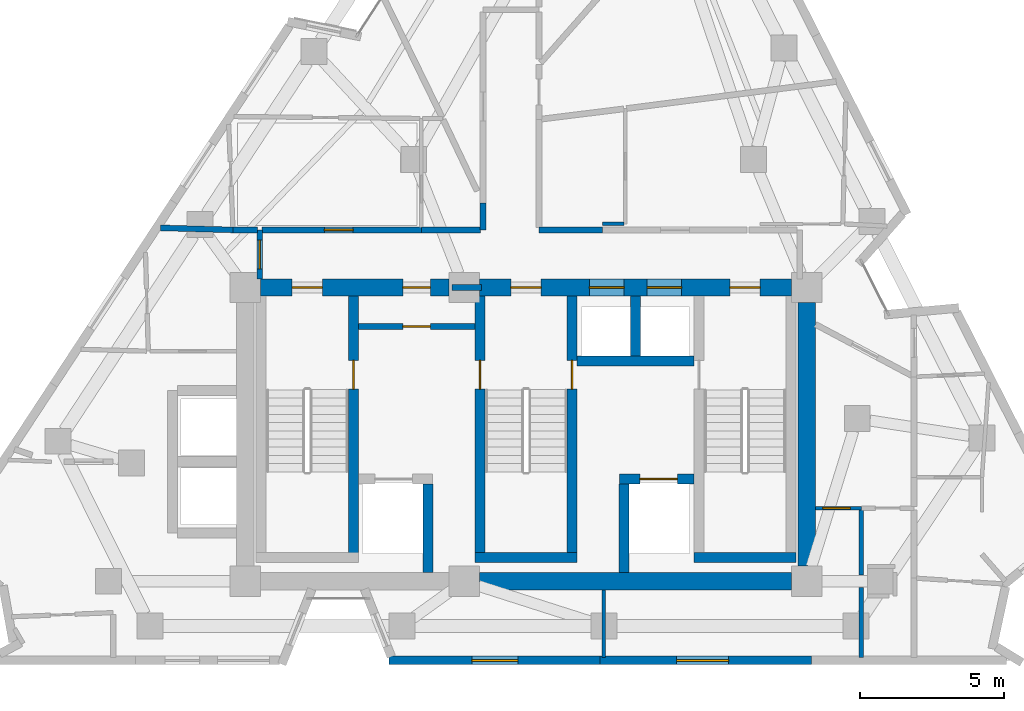
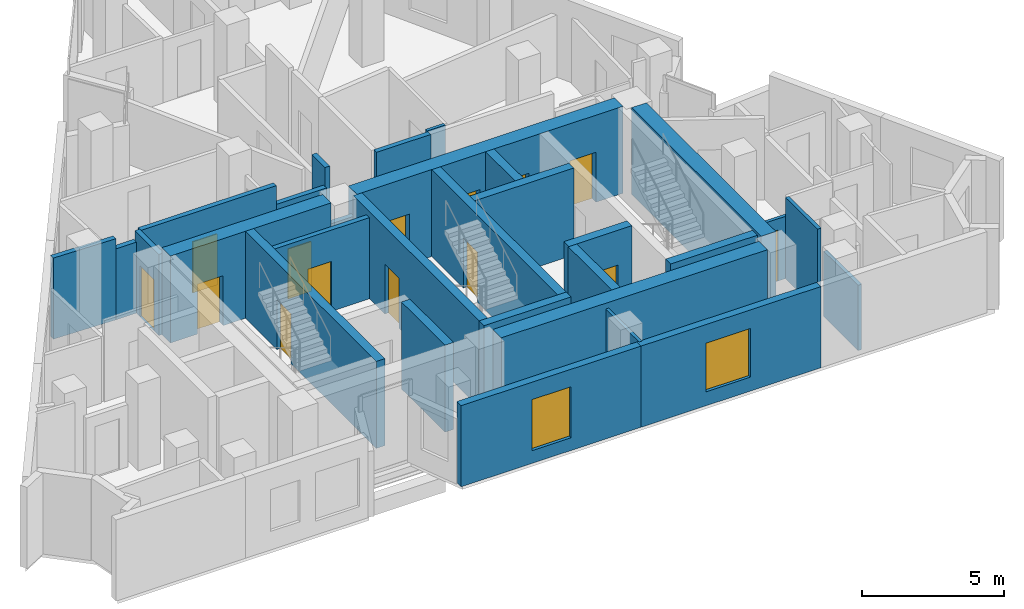
# One storey, part 6 of 10: 30 walls, 14 doors, 2 windows, 16 openings.
"""IFC4 building model written with IfcOpenShell, lengths in metres."""

from ifc_helpers import new_model, si_unit, direction, frame, frame_2d, origin, place, context, subcontext, project, spatial, rectangle, extrude, material, layer, layer_set, type_object, element, fill, save


model = new_model("IFC4")

# Units and contexts
model_context = context("Model", 3, precision=1e-05, world=origin(), true_north=direction((0.0, 1.0)))
body_context = subcontext(model_context, "Body", "Model", "MODEL_VIEW")
ifc_project = project(units=[si_unit("LENGTHUNIT", "METRE"), si_unit("AREAUNIT", "SQUARE_METRE"), si_unit("VOLUMEUNIT", "CUBIC_METRE"), si_unit("PLANEANGLEUNIT", "RADIAN"), si_unit("MASSUNIT", "GRAM", prefix="KILO")], contexts=[model_context])

# Site, building, storey
site_placement = place(None, origin())
site = spatial("IfcSite", under=ifc_project, at=site_placement, CompositionType="ELEMENT")
building_placement = place(site_placement, origin())
building = spatial("IfcBuilding", under=site, at=building_placement, Name="Almagre Mirador Tower", CompositionType="ELEMENT")
storey_placement = place(building_placement, frame((0.0, 0.0, 233.25)))
storey = spatial("IfcBuildingStorey", under=building, at=storey_placement, Name="L60", CompositionType="ELEMENT", Elevation=233.25)

# Wall, opening, window
ifc_material_1 = material(Name="Precast concrete C50/60", Category="concrete")
ifc_layer_1 = layer(ifc_material_1, 0.300048828125)
ifc_layer_set_1 = layer_set([ifc_layer_1], Name="Precast concrete C50/60")
wall_type_1 = type_object("IfcWallType", Name="WAL-EXT-300", PredefinedType="SOLIDWALL", material=ifc_layer_set_1)
wall_1_placement = place(storey_placement, frame((47.2041015625, 1.800048828125, 0.0), z_axis=(0.0, 0.0, 1.0), x_axis=(-1.0, 0.0, 0.0)))
wall_1 = element("IfcWall", 1, at=wall_1_placement, inside=storey, type_object=wall_type_1, Name="L60 expressed almagre precast frame wall 20", PredefinedType="SOLIDWALL", context=body_context, shape_type="SweptSolid", body=[
    extrude(rectangle(XDim=7.336181640625, YDim=0.300048828125, at=frame_2d((3.66796875, 0.0))), origin(), (0.0, 0.0, 1.0), 3.5),
])
opening_1_placement = place(wall_1_placement, frame((2.875, 0.0, 0.60009765625)))
opening_1 = element("IfcOpeningElement", 2, at=opening_1_placement, cuts=wall_1, Name="Opening WN-01", PredefinedType="OPENING", context=body_context, shape_type="SweptSolid", body=[
    extrude(rectangle(XDim=1.800048828125, YDim=2.10009765625, at=frame_2d((0.89990234375, 1.050048828125))), frame((0.0, 0.159902, 0.0), z_axis=(0.0, -1.0, 0.0), x_axis=(1.0, 0.0, 0.0)), (0.0, 0.0, 1.0), 0.320049),
])
ifc_material_2 = material(Name="Dark solar-control laminated hurricane glass", Category="glass")
window_type_1 = type_object("IfcWindowType", Name="WIN-1800X2100", PartitioningType="DOUBLE_PANEL_VERTICAL", PredefinedType="WINDOW", material=ifc_material_2)
window_1_placement = place(opening_1_placement, origin())
window_1 = element("IfcWindow", 3, at=window_1_placement, inside=storey, type_object=window_type_1, Name="L60 recessed hurricane window L60-UB-KT", OverallHeight=2.10009765625, OverallWidth=1.800048828125, PartitioningType="SINGLE_PANEL", PredefinedType="WINDOW", context=body_context, shape_type="SweptSolid", body=[
    extrude(rectangle(XDim=1.800048828125, YDim=2.10009765625, at=frame_2d((0.89990234375, 1.050048828125))), frame((0.0, 0.030029296875, 0.0), z_axis=(0.0, -1.0, 0.0), x_axis=(1.0, 0.0, 0.0)), (0.0, 0.0, 1.0), 0.06005859375),
])
fill(opening_1, window_1)

wall_2_placement = place(storey_placement, frame((39.867919921875, 1.800048828125, 0.0), z_axis=(0.0, 0.0, 1.0), x_axis=(-1.0, 0.0, 0.0)))
wall_2 = element("IfcWall", 4, at=wall_2_placement, inside=storey, type_object=wall_type_1, Name="L60 expressed almagre precast frame wall 21", PredefinedType="SOLIDWALL", context=body_context, shape_type="SweptSolid", body=[
    extrude(rectangle(XDim=7.3359375, YDim=0.300048828125, at=frame_2d((3.66796875, 0.0))), origin(), (0.0, 0.0, 1.0), 3.5),
])
opening_2_placement = place(wall_2_placement, frame((2.85009765625, 0.0, 0.550048828125)))
opening_2 = element("IfcOpeningElement", 5, at=opening_2_placement, cuts=wall_2, Name="Opening WN-06", PredefinedType="OPENING", context=body_context, shape_type="SweptSolid", body=[
    extrude(rectangle(XDim=1.60009765625, YDim=2.199951171875, at=frame_2d((0.800048828125, 1.10009765625))), frame((0.0, 0.159902, 0.0), z_axis=(0.0, -1.0, 0.0), x_axis=(1.0, 0.0, 0.0)), (0.0, 0.0, 1.0), 0.320049),
])
ifc_material_3 = material(Name="Dark solar-control laminated hurricane glass", Category="glass")
window_type_2 = type_object("IfcWindowType", Name="WIN-1600X2200", PartitioningType="DOUBLE_PANEL_VERTICAL", PredefinedType="WINDOW", material=ifc_material_3)
window_2_placement = place(opening_2_placement, origin())
window_2 = element("IfcWindow", 6, at=window_2_placement, inside=storey, type_object=window_type_2, Name="L60 recessed hurricane window L60-UB-ST", OverallHeight=2.199951171875, OverallWidth=1.60009765625, PartitioningType="SINGLE_PANEL", PredefinedType="WINDOW", context=body_context, shape_type="SweptSolid", body=[
    extrude(rectangle(XDim=1.60009765625, YDim=2.199951171875, at=frame_2d((0.800048828125, 1.10009765625))), frame((0.0, 0.030029296875, 0.0), z_axis=(0.0, -1.0, 0.0), x_axis=(1.0, 0.0, 0.0)), (0.0, 0.0, 1.0), 0.06005859375),
])
fill(opening_2, window_2)

# Wall
ifc_material_4 = material(Name="Gypsum acoustic stud partition", Category="other")
ifc_layer_2 = layer(ifc_material_4, 0.125)
ifc_layer_set_2 = layer_set([ifc_layer_2], Name="Gypsum acoustic stud partition")
wall_type_2 = type_object("IfcWallType", Name="WAL-PRT-125-UTL", PredefinedType="PARTITIONING", material=ifc_layer_set_2)
wall_3_placement = place(storey_placement, frame((40.0, 1.89990234375, 0.0), z_axis=(0.0, 0.0, 1.0), x_axis=(0.0, 1.0, 0.0)))
element("IfcWall", 7, at=wall_3_placement, inside=storey, type_object=wall_type_2, Name="L60 interior partition 021", PredefinedType="PARTITIONING", context=body_context, shape_type="SweptSolid", body=[
    extrude(rectangle(XDim=2.35009765625, YDim=0.125, at=frame_2d((1.175048828125, 0.0))), origin(), (0.0, 0.0, 1.0), 3.5),
])

# Wall, opening, door
wall_4_placement = place(storey_placement, frame((47.35009765625, 7.090087890625, 0.0), z_axis=(0.0, 0.0, 1.0), x_axis=(1.0, 0.0, 0.0)))
wall_4 = element("IfcWall", 8, at=wall_4_placement, inside=storey, type_object=wall_type_2, Name="L60 interior partition 025", PredefinedType="PARTITIONING", context=body_context, shape_type="SweptSolid", body=[
    extrude(rectangle(XDim=1.58984375, YDim=0.125, at=frame_2d((0.794921875, 0.0))), origin(), (0.0, 0.0, 1.0), 2.68505859375),
])
opening_3_placement = place(wall_4_placement, frame((0.260009765625, 0.0, 0.0)))
opening_3 = element("IfcOpeningElement", 9, at=opening_3_placement, cuts=wall_4, Name="Opening UD-01", PredefinedType="OPENING", context=body_context, shape_type="SweptSolid", body=[
    extrude(rectangle(XDim=0.949951171875, YDim=2.199951171875, at=frame_2d((0.47509765625, 1.10009765625))), frame((0.0, 0.0725, 0.0), z_axis=(0.0, -1.0, 0.0), x_axis=(1.0, 0.0, 0.0)), (0.0, 0.0, 1.0), 0.145),
])
ifc_material_5 = material(Name="Solid American walnut timber", Category="wood")
door_type_1 = type_object("IfcDoorType", Name="DOR-UNR-950X2200", OperationType="NOTDEFINED", PredefinedType="DOOR", material=ifc_material_5)
door_1_placement = place(opening_3_placement, origin())
door_1 = element("IfcDoor", 10, at=door_1_placement, inside=storey, type_object=door_type_1, Name="DR-1841 L60 interior door L60-UC-ST to L60-UC-KT", OperationType="SINGLE_SWING_RIGHT", OverallHeight=2.199951171875, OverallWidth=0.949951171875, PredefinedType="DOOR", context=body_context, shape_type="SweptSolid", body=[
    extrude(rectangle(XDim=0.949951171875, YDim=2.199951171875, at=frame_2d((0.47509765625, 1.10009765625))), frame((0.0, 0.02490234375, 0.0), z_axis=(0.0, -1.0, 0.0), x_axis=(1.0, 0.0, 0.0)), (0.0, 0.0, 1.0), 0.050048828125),
])
fill(opening_3, door_1)

# Walls
wall_5_placement = place(storey_placement, frame((40.6923828125, 16.9599609375, 0.0), z_axis=(0.0, 0.0, 1.0), x_axis=(-1.0, 0.0, 0.0)))
element("IfcWall", 11, at=wall_5_placement, inside=storey, type_object=wall_type_2, Name="L60 interior partition 052", PredefinedType="PARTITIONING", context=body_context, shape_type="SweptSolid", body=[
    extrude(rectangle(XDim=0.732421875, YDim=0.125, at=frame_2d((0.3662109375, 0.0))), origin(), (0.0, 0.0, 1.0), 3.5),
])
ifc_material_6 = material(Name="Gypsum acoustic stud partition", Category="other")
ifc_layer_3 = layer(ifc_material_6, 0.14990234375)
ifc_layer_set_3 = layer_set([ifc_layer_3], Name="Gypsum acoustic stud partition")
wall_type_3 = type_object("IfcWallType", Name="WAL-PRT-150-STD", PredefinedType="PARTITIONING", material=ifc_layer_set_3)
wall_6_placement = place(storey_placement, frame((48.93994140625, 4.330078125, 0.0), z_axis=(0.0, 0.0, 1.0), x_axis=(0.0, -1.0, 0.0)))
element("IfcWall", 12, at=wall_6_placement, inside=storey, type_object=wall_type_3, Name="L60 interior partition 029", PredefinedType="PARTITIONING", context=body_context, shape_type="SweptSolid", body=[
    extrude(rectangle(XDim=2.43017578125, YDim=0.14990234375, at=frame_2d((1.215087890625, 0.0))), origin(), (0.0, 0.0, 1.0), 2.820068359375),
])
wall_7_placement = place(storey_placement, frame((48.93994140625, 7.030029296875, 0.0), z_axis=(0.0, 0.0, 1.0), x_axis=(0.0, -1.0, 0.0)))
element("IfcWall", 13, at=wall_7_placement, inside=storey, type_object=wall_type_3, Name="L60 interior partition 030", PredefinedType="PARTITIONING", context=body_context, shape_type="SweptSolid", body=[
    extrude(rectangle(XDim=2.260009765625, YDim=0.14990234375, at=frame_2d((1.1298828125, 0.0))), origin(), (0.0, 0.0, 1.0), 3.5),
])
ifc_material_7 = material(Name="Gypsum acoustic stud partition", Category="other")
ifc_layer_4 = layer(ifc_material_7, 0.199951171875)
ifc_layer_set_4 = layer_set([ifc_layer_4], Name="Gypsum acoustic stud partition")
wall_type_4 = type_object("IfcWallType", Name="WAL-PRT-200-EI60", PredefinedType="PARTITIONING", material=ifc_layer_set_4)
wall_8_placement = place(storey_placement, frame((34.719970703125, 14.75, 0.0), z_axis=(0.0, 0.0, 1.0), x_axis=(1.0, 0.0, 0.0)))
element("IfcWall", 14, at=wall_8_placement, inside=storey, type_object=wall_type_4, Name="L60 core north closure wall", PredefinedType="PARTITIONING", context=body_context, shape_type="SweptSolid", body=[
    extrude(rectangle(XDim=1.030029296875, YDim=0.199951171875, at=frame_2d((0.51513671875, 0.0))), origin(), (0.0, 0.0, 1.0), 2.68505859375),
])

# Wall, opening, door
wall_9_placement = place(storey_placement, frame((31.47998046875, 13.39990234375, 0.0), z_axis=(0.0, 0.0, 1.0), x_axis=(1.0, 0.0, 0.0)))
wall_9 = element("IfcWall", 15, at=wall_9_placement, inside=storey, type_object=wall_type_4, Name="L60 FFL-1 north enclosure wall", PredefinedType="PARTITIONING", context=body_context, shape_type="SweptSolid", body=[
    extrude(rectangle(XDim=4.0400390625, YDim=0.199951171875, at=frame_2d((2.02001953125, 0.0))), origin(), (0.0, 0.0, 1.0), 3.5),
])
opening_4_placement = place(wall_9_placement, frame((1.544921875, 0.0, 0.0)))
opening_4 = element("IfcOpeningElement", 16, at=opening_4_placement, cuts=wall_9, Name="Opening ID-02", PredefinedType="OPENING", context=body_context, shape_type="SweptSolid", body=[
    extrude(rectangle(XDim=0.949951171875, YDim=2.14990234375, at=frame_2d((0.47509765625, 1.074951171875))), frame((0.0, 0.110098, 0.0), z_axis=(0.0, -1.0, 0.0), x_axis=(1.0, 0.0, 0.0)), (0.0, 0.0, 1.0), 0.219951),
])
ifc_material_8 = material(Name="Fire-rated walnut timber", Category="wood")
door_type_2 = type_object("IfcDoorType", Name="DOR-FD60-950X2150", OperationType="NOTDEFINED", PredefinedType="DOOR", material=ifc_material_8)
door_2_placement = place(opening_4_placement, origin())
door_2 = element("IfcDoor", 17, at=door_2_placement, inside=storey, type_object=door_type_2, Name="DR-1834 L60 FFL-1 north smoke door", OperationType="SINGLE_SWING_LEFT", OverallHeight=2.14990234375, OverallWidth=0.949951171875, PredefinedType="DOOR", context=body_context, shape_type="SweptSolid", body=[
    extrude(rectangle(XDim=0.949951171875, YDim=2.14990234375, at=frame_2d((0.47509765625, 1.074951171875))), frame((0.0, 0.02490234375, 0.0), z_axis=(0.0, -1.0, 0.0), x_axis=(1.0, 0.0, 0.0)), (0.0, 0.0, 1.0), 0.050048828125),
])
fill(opening_4, door_2)

wall_10_placement = place(storey_placement, frame((28.050048828125, 16.75, 0.0), z_axis=(0.0, 0.0, 1.0), x_axis=(0.0, -1.0, 0.0)))
wall_10 = element("IfcWall", 18, at=wall_10_placement, inside=storey, type_object=wall_type_4, Name="L60 interior partition 001", PredefinedType="PARTITIONING", context=body_context, shape_type="SweptSolid", body=[
    extrude(rectangle(XDim=1.699951171875, YDim=0.199951171875, at=frame_2d((0.85009765625, 0.0))), origin(), (0.0, 0.0, 1.0), 3.5),
])
opening_5_placement = place(wall_10_placement, frame((0.35009765625, 0.0, 0.0)))
opening_5 = element("IfcOpeningElement", 19, at=opening_5_placement, cuts=wall_10, Name="Opening ID-01", PredefinedType="OPENING", context=body_context, shape_type="SweptSolid", body=[
    extrude(rectangle(XDim=1.0, YDim=2.199951171875, at=frame_2d((0.5, 1.10009765625))), frame((0.0, 0.110098, 0.0), z_axis=(0.0, -1.0, 0.0), x_axis=(1.0, 0.0, 0.0)), (0.0, 0.0, 1.0), 0.219951),
])
ifc_material_9 = material(Name="Fire-rated walnut timber", Category="wood")
door_type_3 = type_object("IfcDoorType", Name="DOR-FD60-1000X2200", OperationType="NOTDEFINED", PredefinedType="DOOR", material=ifc_material_9)
door_3_placement = place(opening_5_placement, origin())
door_3 = element("IfcDoor", 20, at=door_3_placement, inside=storey, type_object=door_type_3, Name="DR-1845 L60 interior door L60-RCOR to L60-UE-ST", OperationType="SINGLE_SWING_RIGHT", OverallHeight=2.199951171875, OverallWidth=1.0, PredefinedType="DOOR", context=body_context, shape_type="SweptSolid", body=[
    extrude(rectangle(XDim=1.0, YDim=2.199951171875, at=frame_2d((0.5, 1.10009765625))), frame((0.0, 0.02490234375, 0.0), z_axis=(0.0, -1.0, 0.0), x_axis=(1.0, 0.0, 0.0)), (0.0, 0.0, 1.0), 0.050048828125),
])
fill(opening_5, door_3)

wall_11_placement = place(storey_placement, frame((33.659912109375, 16.75, 0.0), z_axis=(0.0, 0.0, 1.0), x_axis=(-1.0, 0.0, 0.0)))
wall_11 = element("IfcWall", 21, at=wall_11_placement, inside=storey, type_object=wall_type_4, Name="L60 interior partition 002", PredefinedType="PARTITIONING", context=body_context, shape_type="SweptSolid", body=[
    extrude(rectangle(XDim=5.52490234375, YDim=0.199951171875, at=frame_2d((2.762451171875, 0.0))), origin(), (0.0, 0.0, 1.0), 3.5),
])
opening_6_placement = place(wall_11_placement, frame((2.363525390625, 0.0, 0.0)))
opening_6 = element("IfcOpeningElement", 22, at=opening_6_placement, cuts=wall_11, Name="Opening ID-01", PredefinedType="OPENING", context=body_context, shape_type="SweptSolid", body=[
    extrude(rectangle(XDim=1.0, YDim=2.199951171875, at=frame_2d((0.5, 1.10009765625))), frame((0.0, 0.110098, 0.0), z_axis=(0.0, -1.0, 0.0), x_axis=(1.0, 0.0, 0.0)), (0.0, 0.0, 1.0), 0.219951),
])
door_4_placement = place(opening_6_placement, origin())
door_4 = element("IfcDoor", 23, at=door_4_placement, inside=storey, type_object=door_type_3, Name="DR-1848 L60 interior door L60-RCOR to L60-UF-LV", OperationType="SINGLE_SWING_LEFT", OverallHeight=2.199951171875, OverallWidth=1.0, PredefinedType="DOOR", context=body_context, shape_type="SweptSolid", body=[
    extrude(rectangle(XDim=1.0, YDim=2.199951171875, at=frame_2d((0.5, 1.10009765625))), frame((0.0, 0.02490234375, 0.0), z_axis=(0.0, -1.0, 0.0), x_axis=(1.0, 0.0, 0.0)), (0.0, 0.0, 1.0), 0.050048828125),
])
fill(opening_6, door_4)

# Walls
wall_12_placement = place(storey_placement, frame((35.800048828125, 17.679931640625, 0.0), z_axis=(0.0, 0.0, 1.0), x_axis=(0.0, -1.0, 0.0)))
element("IfcWall", 24, at=wall_12_placement, inside=storey, type_object=wall_type_4, Name="L60 interior partition 003", PredefinedType="PARTITIONING", context=body_context, shape_type="SweptSolid", body=[
    extrude(rectangle(XDim=0.929931640625, YDim=0.199951171875, at=frame_2d((0.46484375, 0.0))), origin(), (0.0, 0.0, 1.0), 3.5),
])
wall_13_placement = place(storey_placement, frame((35.715087890625, 16.75, 0.0), z_axis=(0.0, 0.0, 1.0), x_axis=(-1.0, 0.0, 0.0)))
element("IfcWall", 25, at=wall_13_placement, inside=storey, type_object=wall_type_4, Name="L60 interior partition 004", PredefinedType="PARTITIONING", context=body_context, shape_type="SweptSolid", body=[
    extrude(rectangle(XDim=2.05517578125, YDim=0.199951171875, at=frame_2d((1.027587890625, 0.0))), origin(), (0.0, 0.0, 1.0), 2.68505859375),
])
wall_14_placement = place(storey_placement, frame((39.9599609375, 16.75, 0.0), z_axis=(0.0, 0.0, 1.0), x_axis=(-1.0, 0.0, 0.0)))
element("IfcWall", 26, at=wall_14_placement, inside=storey, type_object=wall_type_4, Name="L60 interior partition 006", PredefinedType="PARTITIONING", context=body_context, shape_type="SweptSolid", body=[
    extrude(rectangle(XDim=2.2099609375, YDim=0.199951171875, at=frame_2d((1.10498046875, 0.0))), origin(), (0.0, 0.0, 1.0), 3.5),
])
wall_15_placement = place(storey_placement, frame((27.965087890625, 16.75, 0.0), z_axis=(0.0, 0.0, 1.0), x_axis=(-1.0, 0.0, 0.0)))
element("IfcWall", 27, at=wall_15_placement, inside=storey, type_object=wall_type_4, Name="L60 interior partition 041", PredefinedType="PARTITIONING", context=body_context, shape_type="SweptSolid", body=[
    extrude(rectangle(XDim=0.844970703125, YDim=0.199951171875, at=frame_2d((0.42236328125, 0.0))), origin(), (0.0, 0.0, 1.0), 3.06103515625),
])
wall_16_placement = place(storey_placement, frame((27.1201171875, 16.75, 0.0), z_axis=(0.0, 0.0, 1.0), x_axis=(-0.999588989249, 0.028667971206, 0.0)))
element("IfcWall", 28, at=wall_16_placement, inside=storey, type_object=wall_type_4, Name="L60 interior partition 042", PredefinedType="PARTITIONING", context=body_context, shape_type="SweptSolid", body=[
    extrude(rectangle(XDim=2.51220703125, YDim=0.199951171875, at=frame_2d((1.256103515625, 0.0))), origin(), (0.0, 0.0, 1.0), 3.5),
])

# Wall, opening, door
ifc_material_10 = material(Name="Concrete C60/75", Category="concrete")
ifc_layer_5 = layer(ifc_material_10, 0.35009765625)
ifc_layer_set_5 = layer_set([ifc_layer_5], Name="Concrete C60/75")
wall_type_5 = type_object("IfcWallType", Name="WAL-SHF-350", PredefinedType="SOLIDWALL", material=ifc_layer_set_5)
wall_17_placement = place(storey_placement, frame((31.300048828125, 5.199951171875, 0.0), z_axis=(0.0, 0.0, 1.0), x_axis=(0.0, 1.0, 0.0)))
wall_17 = element("IfcWall", 29, at=wall_17_placement, inside=storey, type_object=wall_type_5, Name="L60 shaft wall ST1-E", PredefinedType="SOLIDWALL", context=body_context, shape_type="SweptSolid", body=[
    extrude(rectangle(XDim=9.25, YDim=0.35009765625, at=frame_2d((4.625, 0.0))), origin(), (0.0, 0.0, 1.0), 3.75),
])
opening_7_placement = place(wall_17_placement, frame((6.02001953125, 0.0, 0.0)))
opening_7 = element("IfcOpeningElement", 30, at=opening_7_placement, cuts=wall_17, Name="Opening FD-01", PredefinedType="OPENING", context=body_context, shape_type="SweptSolid", body=[
    extrude(rectangle(XDim=1.0, YDim=2.14990234375, at=frame_2d((0.5, 1.074951171875))), frame((0.0, 0.185049, 0.0), z_axis=(0.0, -1.0, 0.0), x_axis=(1.0, 0.0, 0.0)), (0.0, 0.0, 1.0), 0.370098),
])
ifc_material_11 = material(Name="Fire-rated hollow steel", Category="steel")
door_type_4 = type_object("IfcDoorType", Name="DOR-FFL-1000X2150", OperationType="NOTDEFINED", PredefinedType="DOOR", material=ifc_material_11)
door_5_placement = place(opening_7_placement, origin())
door_5 = element("IfcDoor", 31, at=door_5_placement, inside=storey, type_object=door_type_4, Name="DR-1835 L60 FFL1-ST1 smokeproof door", OperationType="SINGLE_SWING_LEFT", OverallHeight=2.14990234375, OverallWidth=1.0, PredefinedType="DOOR", context=body_context, shape_type="SweptSolid", body=[
    extrude(rectangle(XDim=1.0, YDim=2.14990234375, at=frame_2d((0.5, 1.074951171875))), frame((0.0, 0.02490234375, 0.0), z_axis=(0.0, -1.0, 0.0), x_axis=(1.0, 0.0, 0.0)), (0.0, 0.0, 1.0), 0.050048828125),
])
fill(opening_7, door_5)

wall_18_placement = place(storey_placement, frame((35.699951171875, 5.199951171875, 0.0), z_axis=(0.0, 0.0, 1.0), x_axis=(0.0, 1.0, 0.0)))
wall_18 = element("IfcWall", 32, at=wall_18_placement, inside=storey, type_object=wall_type_5, Name="L60 shaft wall ST2-W", PredefinedType="SOLIDWALL", context=body_context, shape_type="SweptSolid", body=[
    extrude(rectangle(XDim=9.25, YDim=0.35009765625, at=frame_2d((4.625, 0.0))), origin(), (0.0, 0.0, 1.0), 3.75),
])
opening_8_placement = place(wall_18_placement, frame((6.02001953125, 0.0, 0.0)))
opening_8 = element("IfcOpeningElement", 33, at=opening_8_placement, cuts=wall_18, Name="Opening FD-01", PredefinedType="OPENING", context=body_context, shape_type="SweptSolid", body=[
    extrude(rectangle(XDim=1.0, YDim=2.14990234375, at=frame_2d((0.5, 1.074951171875))), frame((0.0, 0.185049, 0.0), z_axis=(0.0, -1.0, 0.0), x_axis=(1.0, 0.0, 0.0)), (0.0, 0.0, 1.0), 0.370098),
])
door_6_placement = place(opening_8_placement, origin())
door_6 = element("IfcDoor", 34, at=door_6_placement, inside=storey, type_object=door_type_4, Name="DR-1836 L60 FFL1-ST2 smokeproof door", OperationType="SINGLE_SWING_RIGHT", OverallHeight=2.14990234375, OverallWidth=1.0, PredefinedType="DOOR", context=body_context, shape_type="SweptSolid", body=[
    extrude(rectangle(XDim=1.0, YDim=2.14990234375, at=frame_2d((0.5, 1.074951171875))), frame((0.0, 0.02490234375, 0.0), z_axis=(0.0, -1.0, 0.0), x_axis=(1.0, 0.0, 0.0)), (0.0, 0.0, 1.0), 0.050048828125),
])
fill(opening_8, door_6)

wall_19_placement = place(storey_placement, frame((38.89990234375, 5.199951171875, 0.0), z_axis=(0.0, 0.0, 1.0), x_axis=(0.0, 1.0, 0.0)))
wall_19 = element("IfcWall", 35, at=wall_19_placement, inside=storey, type_object=wall_type_5, Name="L60 shaft wall ST2-E", PredefinedType="SOLIDWALL", context=body_context, shape_type="SweptSolid", body=[
    extrude(rectangle(XDim=9.25, YDim=0.35009765625, at=frame_2d((4.625, 0.0))), origin(), (0.0, 0.0, 1.0), 3.75),
])
opening_9_placement = place(wall_19_placement, frame((6.02001953125, 0.0, 0.0)))
opening_9 = element("IfcOpeningElement", 36, at=opening_9_placement, cuts=wall_19, Name="Opening FD-01", PredefinedType="OPENING", context=body_context, shape_type="SweptSolid", body=[
    extrude(rectangle(XDim=1.0, YDim=2.14990234375, at=frame_2d((0.5, 1.074951171875))), frame((0.0, 0.185049, 0.0), z_axis=(0.0, -1.0, 0.0), x_axis=(1.0, 0.0, 0.0)), (0.0, 0.0, 1.0), 0.370098),
])
door_7_placement = place(opening_9_placement, origin())
door_7 = element("IfcDoor", 37, at=door_7_placement, inside=storey, type_object=door_type_4, Name="DR-1837 L60 FFL2-ST2 smokeproof door", OperationType="SINGLE_SWING_LEFT", OverallHeight=2.14990234375, OverallWidth=1.0, PredefinedType="DOOR", context=body_context, shape_type="SweptSolid", body=[
    extrude(rectangle(XDim=1.0, YDim=2.14990234375, at=frame_2d((0.5, 1.074951171875))), frame((0.0, 0.02490234375, 0.0), z_axis=(0.0, -1.0, 0.0), x_axis=(1.0, 0.0, 0.0)), (0.0, 0.0, 1.0), 0.050048828125),
])
fill(opening_9, door_7)

# Walls
for number, where, z_axis, x_axis, name in (
    (38, (35.52490234375, 5.375, 0.0), (0.0, 0.0, 1.0), (1.0, 0.0, 0.0), "L60 shaft wall ST2-S"),
    (39, (43.125, 5.375, 0.0), (0.0, 0.0, 1.0), (1.0, 0.0, 0.0), "L60 shaft wall ST3-S"),
):
    element("IfcWall", number, at=place(storey_placement, frame(where, z_axis=z_axis, x_axis=x_axis)), inside=storey, type_object=wall_type_5, Name=name, PredefinedType="SOLIDWALL", context=body_context, shape_type="SweptSolid", body=[
        extrude(rectangle(XDim=3.550048828125, YDim=0.35009765625, at=frame_2d((1.77490234375, 0.0))), origin(), (0.0, 0.0, 1.0), 3.75),
    ])

# Wall, opening, door
wall_20_placement = place(storey_placement, frame((40.550048828125, 8.10009765625, 0.0), z_axis=(0.0, 0.0, 1.0), x_axis=(1.0, 0.0, 0.0)))
wall_20 = element("IfcWall", 40, at=wall_20_placement, inside=storey, type_object=wall_type_5, Name="L60 shaft wall FSAE2-N", PredefinedType="SOLIDWALL", context=body_context, shape_type="SweptSolid", body=[
    extrude(rectangle(XDim=2.574951171875, YDim=0.35009765625, at=frame_2d((1.28759765625, 0.0))), origin(), (0.0, 0.0, 1.0), 3.75),
])
opening_10_placement = place(wall_20_placement, frame((0.699951171875, 0.0, 0.0)))
opening_10 = element("IfcOpeningElement", 41, at=opening_10_placement, cuts=wall_20, Name="Opening LD-03", PredefinedType="OPENING", context=body_context, shape_type="SweptSolid", body=[
    extrude(rectangle(XDim=1.300048828125, YDim=2.25, at=frame_2d((0.64990234375, 1.125))), frame((0.0, 0.185049, 0.0), z_axis=(0.0, -1.0, 0.0), x_axis=(1.0, 0.0, 0.0)), (0.0, 0.0, 1.0), 0.370098),
])
ifc_material_12 = material(Name="Hollow stainless steel", Category="steel")
door_type_5 = type_object("IfcDoorType", Name="DOR-LD-1300X2250", OperationType="DOUBLE_DOOR_SLIDING", PredefinedType="DOOR", material=ifc_material_12)
door_8_placement = place(opening_10_placement, origin())
door_8 = element("IfcDoor", 42, at=door_8_placement, inside=storey, type_object=door_type_5, Name="DR-1867 L60 FSAE-2 lift landing door", OperationType="DOUBLE_DOOR_SLIDING", OverallHeight=2.25, OverallWidth=1.300048828125, PredefinedType="DOOR", context=body_context, shape_type="SweptSolid", body=[
    extrude(rectangle(XDim=1.300048828125, YDim=2.25, at=frame_2d((0.64990234375, 1.125))), frame((0.0, 0.02490234375, 0.0), z_axis=(0.0, -1.0, 0.0), x_axis=(1.0, 0.0, 0.0)), (0.0, 0.0, 1.0), 0.050048828125),
])
fill(opening_10, door_8)

# Walls
for number, where, z_axis, x_axis, name in (
    (43, (33.89990234375, 4.85009765625, 0.0), (0.0, 0.0, 1.0), (0.0, 1.0, 0.0), "L60 shaft wall FSAE1-E"),
    (44, (40.699951171875, 4.85009765625, 0.0), (0.0, 0.0, 1.0), (0.0, 1.0, 0.0), "L60 shaft wall FSAE2-W"),
):
    element("IfcWall", number, at=place(storey_placement, frame(where, z_axis=z_axis, x_axis=x_axis)), inside=storey, type_object=wall_type_5, Name=name, PredefinedType="SOLIDWALL", context=body_context, shape_type="SweptSolid", body=[
        extrude(rectangle(XDim=3.074951171875, YDim=0.35009765625, at=frame_2d((1.53759765625, 0.0))), origin(), (0.0, 0.0, 1.0), 3.75),
    ])
wall_21_placement = place(storey_placement, frame((39.074951171875, 12.199951171875, 0.0), z_axis=(0.0, 0.0, 1.0), x_axis=(1.0, 0.0, 0.0)))
element("IfcWall", 45, at=wall_21_placement, inside=storey, type_object=wall_type_5, Name="L60 shaft wall PLH-S", PredefinedType="SOLIDWALL", context=body_context, shape_type="SweptSolid", body=[
    extrude(rectangle(XDim=4.050048828125, YDim=0.35009765625, at=frame_2d((2.02490234375, 0.0))), origin(), (0.0, 0.0, 1.0), 3.75),
])
wall_22_placement = place(storey_placement, frame((41.10009765625, 12.375, 0.0), z_axis=(0.0, 0.0, 1.0), x_axis=(0.0, 1.0, 0.0)))
element("IfcWall", 46, at=wall_22_placement, inside=storey, type_object=wall_type_5, Name="L60 shaft wall PLH-M", PredefinedType="SOLIDWALL", context=body_context, shape_type="SweptSolid", body=[
    extrude(rectangle(XDim=2.074951171875, YDim=0.35009765625, at=frame_2d((1.03759765625, 0.0))), origin(), (0.0, 0.0, 1.0), 3.75),
])
ifc_material_13 = material(Name="Concrete C60/75", Category="concrete")
ifc_layer_6 = layer(ifc_material_13, 0.60009765625)
ifc_layer_set_6 = layer_set([ifc_layer_6], Name="Concrete C60/75")
wall_type_6 = type_object("IfcWallType", Name="WAL-SHR-600", PredefinedType="SHEAR", material=ifc_layer_set_6)
wall_23_placement = place(storey_placement, frame((35.675048828125, 4.550048828125, 0.0), z_axis=(0.0, 0.0, 1.0), x_axis=(1.0, 0.0, 0.0)))
element("IfcWall", 47, at=wall_23_placement, inside=storey, type_object=wall_type_6, Name="L60 core shear wall S2", PredefinedType="SHEAR", context=body_context, shape_type="SweptSolid", body=[
    extrude(rectangle(XDim=10.849853515625, YDim=0.60009765625, at=frame_2d((5.4248046875, 0.0))), origin(), (0.0, 0.0, 1.0), 3.75),
])

# Wall, openings, doors
wall_24_placement = place(storey_placement, frame((28.074951171875, 14.75, 0.0), z_axis=(0.0, 0.0, 1.0), x_axis=(1.0, 0.0, 0.0)))
wall_24 = element("IfcWall", 48, at=wall_24_placement, inside=storey, type_object=wall_type_6, Name="L60 core shear wall N1", PredefinedType="SHEAR", context=body_context, shape_type="SweptSolid", body=[
    extrude(rectangle(XDim=6.550048828125, YDim=0.60009765625, at=frame_2d((3.27490234375, 0.0))), origin(), (0.0, 0.0, 1.0), 3.75),
])
opening_11_placement = place(wall_24_placement, frame((1.10009765625, 0.0, 0.0)))
opening_11 = element("IfcOpeningElement", 49, at=opening_11_placement, cuts=wall_24, Name="Opening SD-01", PredefinedType="OPENING", context=body_context, shape_type="SweptSolid", body=[
    extrude(rectangle(XDim=1.050048828125, YDim=2.14990234375, at=frame_2d((0.52490234375, 1.074951171875))), frame((0.0, 0.310049, 0.0), z_axis=(0.0, -1.0, 0.0), x_axis=(1.0, 0.0, 0.0)), (0.0, 0.0, 1.0), 0.620098),
])
opening_12_placement = place(wall_24_placement, frame((4.949951171875, 0.0, 0.0)))
opening_12 = element("IfcOpeningElement", 50, at=opening_12_placement, cuts=wall_24, Name="Opening FD-02", PredefinedType="OPENING", context=body_context, shape_type="SweptSolid", body=[
    extrude(rectangle(XDim=0.949951171875, YDim=2.14990234375, at=frame_2d((0.47509765625, 1.074951171875))), frame((0.0, 0.310049, 0.0), z_axis=(0.0, -1.0, 0.0), x_axis=(1.0, 0.0, 0.0)), (0.0, 0.0, 1.0), 0.620098),
])
ifc_material_14 = material(Name="Fire-rated hollow steel", Category="steel")
door_type_6 = type_object("IfcDoorType", Name="DOR-FD90-950X2150", OperationType="NOTDEFINED", PredefinedType="DOOR", material=ifc_material_14)
door_9_placement = place(opening_12_placement, origin())
door_9 = element("IfcDoor", 51, at=door_9_placement, inside=storey, type_object=door_type_6, Name="DR-1833 L60 core equipment room north door", OperationType="SINGLE_SWING_LEFT", OverallHeight=2.14990234375, OverallWidth=0.949951171875, PredefinedType="DOOR", context=body_context, shape_type="SweptSolid", body=[
    extrude(rectangle(XDim=0.949951171875, YDim=2.14990234375, at=frame_2d((0.47509765625, 1.074951171875))), frame((0.0, 0.02490234375, 0.0), z_axis=(0.0, -1.0, 0.0), x_axis=(1.0, 0.0, 0.0)), (0.0, 0.0, 1.0), 0.050048828125),
])
fill(opening_12, door_9)
ifc_material_15 = material(Name="Fire-rated hollow steel", Category="steel")
door_type_7 = type_object("IfcDoorType", Name="DOR-ST-1050X2150", OperationType="NOTDEFINED", PredefinedType="DOOR", material=ifc_material_15)
door_10_placement = place(opening_11_placement, origin())
door_10 = element("IfcDoor", 52, at=door_10_placement, inside=storey, type_object=door_type_7, Name="DR-1870 L60 protected exit stair ST-1 door", OperationType="SINGLE_SWING_RIGHT", OverallHeight=2.14990234375, OverallWidth=1.050048828125, PredefinedType="DOOR", context=body_context, shape_type="SweptSolid", body=[
    extrude(rectangle(XDim=1.050048828125, YDim=2.14990234375, at=frame_2d((0.52490234375, 1.074951171875))), frame((0.0, 0.02490234375, 0.0), z_axis=(0.0, -1.0, 0.0), x_axis=(1.0, 0.0, 0.0)), (0.0, 0.0, 1.0), 0.050048828125),
])
fill(opening_11, door_10)

wall_25_placement = place(storey_placement, frame((35.675048828125, 14.75, 0.0), z_axis=(0.0, 0.0, 1.0), x_axis=(1.0, 0.0, 0.0)))
wall_25 = element("IfcWall", 53, at=wall_25_placement, inside=storey, type_object=wall_type_6, Name="L60 core shear wall N2", PredefinedType="SHEAR", context=body_context, shape_type="SweptSolid", body=[
    extrude(rectangle(XDim=10.849853515625, YDim=0.60009765625, at=frame_2d((5.4248046875, 0.0))), origin(), (0.0, 0.0, 1.0), 3.75),
])
opening_13_placement = place(wall_25_placement, frame((1.10009765625, 0.0, 0.0)))
opening_13 = element("IfcOpeningElement", 54, at=opening_13_placement, cuts=wall_25, Name="Opening SD-01", PredefinedType="OPENING", context=body_context, shape_type="SweptSolid", body=[
    extrude(rectangle(XDim=1.050048828125, YDim=2.14990234375, at=frame_2d((0.52490234375, 1.074951171875))), frame((0.0, 0.310049, 0.0), z_axis=(0.0, -1.0, 0.0), x_axis=(1.0, 0.0, 0.0)), (0.0, 0.0, 1.0), 0.620098),
])
opening_14_placement = place(wall_25_placement, frame((8.699951171875, 0.0, 0.0)))
opening_14 = element("IfcOpeningElement", 55, at=opening_14_placement, cuts=wall_25, Name="Opening SD-01", PredefinedType="OPENING", context=body_context, shape_type="SweptSolid", body=[
    extrude(rectangle(XDim=1.050048828125, YDim=2.14990234375, at=frame_2d((0.52490234375, 1.074951171875))), frame((0.0, 0.310049, 0.0), z_axis=(0.0, -1.0, 0.0), x_axis=(1.0, 0.0, 0.0)), (0.0, 0.0, 1.0), 0.620098),
])
opening_15_placement = place(wall_25_placement, frame((3.824951171875, 0.0, 0.0)))
opening_15 = element("IfcOpeningElement", 56, at=opening_15_placement, cuts=wall_25, Name="Opening LD-02", PredefinedType="OPENING", context=body_context, shape_type="SweptSolid", body=[
    extrude(rectangle(XDim=1.199951171875, YDim=2.199951171875, at=frame_2d((0.60009765625, 1.10009765625))), frame((0.0, 0.310049, 0.0), z_axis=(0.0, -1.0, 0.0), x_axis=(1.0, 0.0, 0.0)), (0.0, 0.0, 1.0), 0.620098),
])
opening_16_placement = place(wall_25_placement, frame((5.824951171875, 0.0, 0.0)))
opening_16 = element("IfcOpeningElement", 57, at=opening_16_placement, cuts=wall_25, Name="Opening LD-02", PredefinedType="OPENING", context=body_context, shape_type="SweptSolid", body=[
    extrude(rectangle(XDim=1.199951171875, YDim=2.199951171875, at=frame_2d((0.60009765625, 1.10009765625))), frame((0.0, 0.310049, 0.0), z_axis=(0.0, -1.0, 0.0), x_axis=(1.0, 0.0, 0.0)), (0.0, 0.0, 1.0), 0.620098),
])
ifc_material_16 = material(Name="Hollow stainless steel", Category="steel")
door_type_8 = type_object("IfcDoorType", Name="DOR-LD-1200X2200", OperationType="DOUBLE_DOOR_SLIDING", PredefinedType="DOOR", material=ifc_material_16)
door_11_placement = place(opening_15_placement, origin())
door_11 = element("IfcDoor", 58, at=door_11_placement, inside=storey, type_object=door_type_8, Name="DR-1868 L60 PL-H1 lift landing door", OperationType="DOUBLE_DOOR_SLIDING", OverallHeight=2.199951171875, OverallWidth=1.199951171875, PredefinedType="DOOR", context=body_context, shape_type="SweptSolid", body=[
    extrude(rectangle(XDim=1.199951171875, YDim=2.199951171875, at=frame_2d((0.60009765625, 1.10009765625))), frame((0.0, 0.02490234375, 0.0), z_axis=(0.0, -1.0, 0.0), x_axis=(1.0, 0.0, 0.0)), (0.0, 0.0, 1.0), 0.050048828125),
])
fill(opening_15, door_11)
door_12_placement = place(opening_16_placement, origin())
door_12 = element("IfcDoor", 59, at=door_12_placement, inside=storey, type_object=door_type_8, Name="DR-1869 L60 PL-H2 lift landing door", OperationType="DOUBLE_DOOR_SLIDING", OverallHeight=2.199951171875, OverallWidth=1.199951171875, PredefinedType="DOOR", context=body_context, shape_type="SweptSolid", body=[
    extrude(rectangle(XDim=1.199951171875, YDim=2.199951171875, at=frame_2d((0.60009765625, 1.10009765625))), frame((0.0, 0.02490234375, 0.0), z_axis=(0.0, -1.0, 0.0), x_axis=(1.0, 0.0, 0.0)), (0.0, 0.0, 1.0), 0.050048828125),
])
fill(opening_16, door_12)
door_13_placement = place(opening_13_placement, origin())
door_13 = element("IfcDoor", 60, at=door_13_placement, inside=storey, type_object=door_type_7, Name="DR-1871 L60 protected exit stair ST-2 door", OperationType="SINGLE_SWING_LEFT", OverallHeight=2.14990234375, OverallWidth=1.050048828125, PredefinedType="DOOR", context=body_context, shape_type="SweptSolid", body=[
    extrude(rectangle(XDim=1.050048828125, YDim=2.14990234375, at=frame_2d((0.52490234375, 1.074951171875))), frame((0.0, 0.02490234375, 0.0), z_axis=(0.0, -1.0, 0.0), x_axis=(1.0, 0.0, 0.0)), (0.0, 0.0, 1.0), 0.050048828125),
])
fill(opening_13, door_13)
door_14_placement = place(opening_14_placement, origin())
door_14 = element("IfcDoor", 61, at=door_14_placement, inside=storey, type_object=door_type_7, Name="DR-1872 L60 protected exit stair ST-3 door", OperationType="SINGLE_SWING_RIGHT", OverallHeight=2.14990234375, OverallWidth=1.050048828125, PredefinedType="DOOR", context=body_context, shape_type="SweptSolid", body=[
    extrude(rectangle(XDim=1.050048828125, YDim=2.14990234375, at=frame_2d((0.52490234375, 1.074951171875))), frame((0.0, 0.02490234375, 0.0), z_axis=(0.0, -1.0, 0.0), x_axis=(1.0, 0.0, 0.0)), (0.0, 0.0, 1.0), 0.050048828125),
])
fill(opening_14, door_14)

# Wall
wall_26_placement = place(storey_placement, frame((47.050048828125, 5.074951171875, 0.0), z_axis=(0.0, 0.0, 1.0), x_axis=(0.0, 1.0, 0.0)))
element("IfcWall", 62, at=wall_26_placement, inside=storey, type_object=wall_type_6, Name="L60 core shear wall E1", PredefinedType="SHEAR", context=body_context, shape_type="SweptSolid", body=[
    extrude(rectangle(XDim=9.150146484375, YDim=0.60009765625, at=frame_2d((4.5751953125, 0.0))), origin(), (0.0, 0.0, 1.0), 3.75),
])

save(model, "model.ifc")
